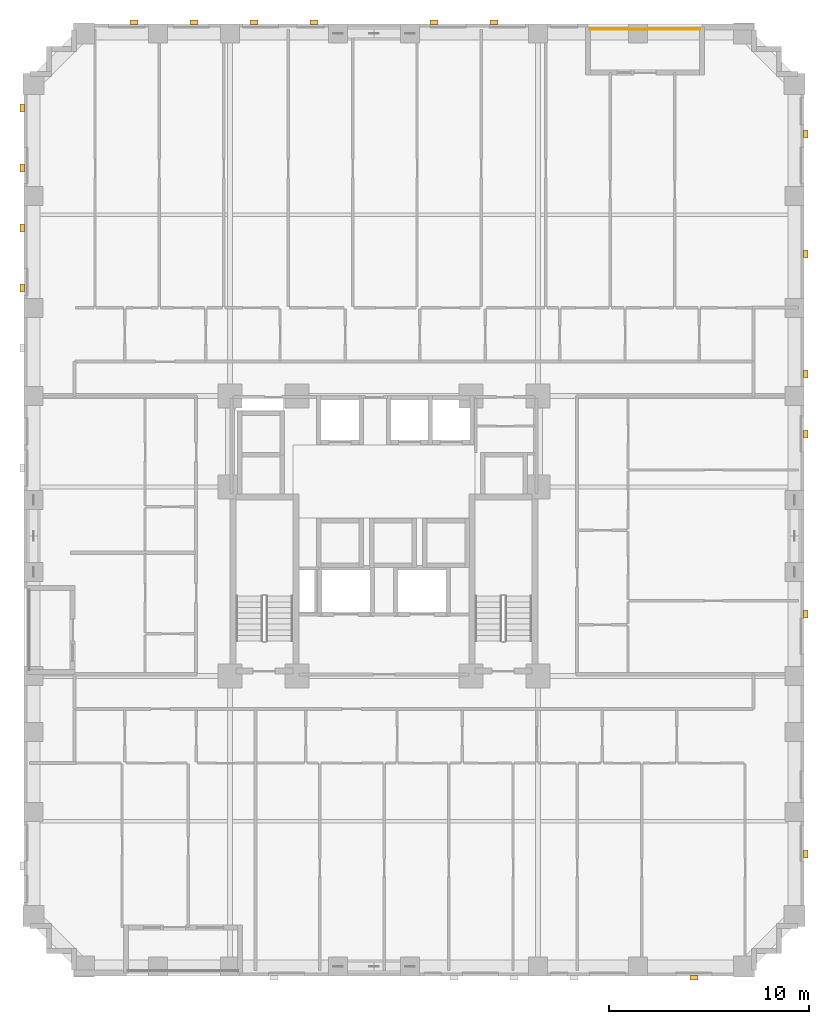
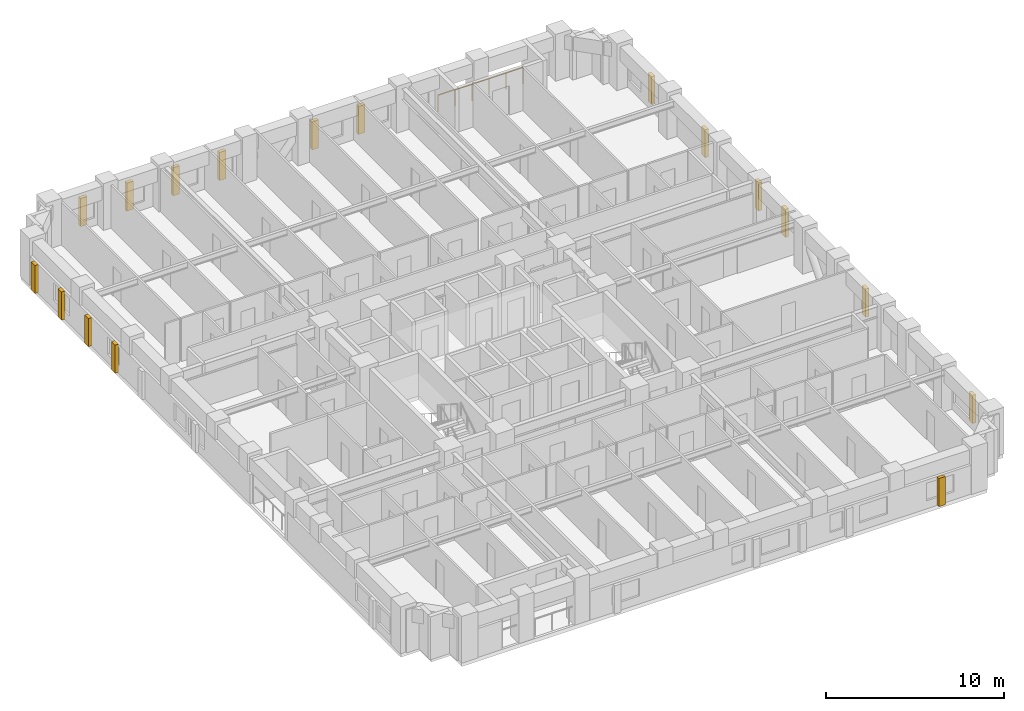
# One storey, part 14 of 14: 17 coverings, 1 railing.
"""IFC4 building model written with IfcOpenShell, lengths in metres."""

from ifc_helpers import new_model, si_unit, derived_unit, direction, frame, origin, origin_2d, place, context, subcontext, project, spatial, rectangle, circle, extrude, material, layer, layer_set, type_object, element, save


model = new_model("IFC4")

# Units and contexts
model_context = context("Model", 3, precision=1e-05, world=origin(), true_north=direction((0.0, 1.0)))
body_context = subcontext(model_context, "Body", "Model", "MODEL_VIEW")
ifc_project = project(units=[si_unit("LENGTHUNIT", "METRE"), si_unit("AREAUNIT", "SQUARE_METRE"), si_unit("VOLUMEUNIT", "CUBIC_METRE"), si_unit("PLANEANGLEUNIT", "RADIAN"), si_unit("MASSUNIT", "GRAM", prefix="KILO"), derived_unit("THERMALTRANSMITTANCEUNIT", [(si_unit("MASSUNIT", "GRAM", prefix="KILO"), 1), (si_unit("TIMEUNIT", "SECOND"), -3), (si_unit("THERMODYNAMICTEMPERATUREUNIT", "KELVIN"), -1)])], contexts=[model_context])

# Site, building, storey
site_placement = place(None, origin())
site = spatial("IfcSite", under=ifc_project, at=site_placement, CompositionType="ELEMENT")
building_placement = place(site_placement, origin())
building = spatial("IfcBuilding", under=site, at=building_placement, Name="Korrvale Station Residences", CompositionType="ELEMENT")
storey_placement = place(building_placement, frame((0.0, 0.0, 38.60009765625)))
storey = spatial("IfcBuildingStorey", under=building, at=storey_placement, Name="L09", CompositionType="ELEMENT", Elevation=38.60009765625)

# Coverings
ifc_material_1 = material(Name="Architectural precast concrete C45/55", Category="concrete")
ifc_layer = layer(ifc_material_1, 0.219970703125, Name="Architectural precast concrete C45/55")
ifc_layer_set = layer_set([ifc_layer], Name="Architectural precast concrete C45/55")
covering_type = type_object("IfcCoveringType", Name="COV-PIER-400", PredefinedType="CLADDING", material=ifc_layer_set)
for number, where, z_axis, x_axis, name in (
    (1, (41.0, -0.090087890625, 0.02490234375), (0.0, 0.0, 1.0), (1.0, 0.0, 0.0), "L09 Architectural Precast Facade Pier 01"),
    (2, (13.0, 47.68994140625, 0.02490234375), (0.0, 0.0, 1.0), (1.0, 0.0, 0.0), "L09 Architectural Precast Facade Pier 06"),
    (3, (16.0, 47.68994140625, 0.02490234375), (0.0, 0.0, 1.0), (1.0, 0.0, 0.0), "L09 Architectural Precast Facade Pier 07"),
    (4, (19.0, 47.68994140625, 0.02490234375), (0.0, 0.0, 1.0), (1.0, 0.0, 0.0), "L09 Architectural Precast Facade Pier 08"),
    (5, (22.0, 47.68994140625, 0.02490234375), (0.0, 0.0, 1.0), (1.0, 0.0, 0.0), "L09 Architectural Precast Facade Pier 09"),
    (6, (28.0, 47.68994140625, 0.02490234375), (0.0, 0.0, 1.0), (1.0, 0.0, 0.0), "L09 Architectural Precast Facade Pier 10"),
    (7, (31.0, 47.68994140625, 0.02490234375), (0.0, 0.0, 1.0), (1.0, 0.0, 0.0), "L09 Architectural Precast Facade Pier 11"),
    (8, (7.409912109375, 34.39990234375, 0.02490234375), (0.0, 0.0, 1.0), (0.0, 1.0, 0.0), "L09 Architectural Precast Facade Pier 15"),
    (9, (7.409912109375, 37.39990234375, 0.02490234375), (0.0, 0.0, 1.0), (0.0, 1.0, 0.0), "L09 Architectural Precast Facade Pier 16"),
    (10, (7.409912109375, 40.39990234375, 0.02490234375), (0.0, 0.0, 1.0), (0.0, 1.0, 0.0), "L09 Architectural Precast Facade Pier 17"),
    (11, (7.409912109375, 43.39990234375, 0.02490234375), (0.0, 0.0, 1.0), (0.0, 1.0, 0.0), "L09 Architectural Precast Facade Pier 18"),
    (12, (46.590087890625, 42.10009765625, 0.02490234375), (0.0, 0.0, 1.0), (0.0, 1.0, 0.0), "L09 Architectural Precast Facade Pier 19"),
    (13, (46.590087890625, 36.10009765625, 0.02490234375), (0.0, 0.0, 1.0), (0.0, 1.0, 0.0), "L09 Architectural Precast Facade Pier 20"),
    (14, (46.590087890625, 30.10009765625, 0.02490234375), (0.0, 0.0, 1.0), (0.0, 1.0, 0.0), "L09 Architectural Precast Facade Pier 21"),
    (15, (46.590087890625, 27.10009765625, 0.02490234375), (0.0, 0.0, 1.0), (0.0, 1.0, 0.0), "L09 Architectural Precast Facade Pier 22"),
    (16, (46.590087890625, 18.10009765625, 0.02490234375), (0.0, 0.0, 1.0), (0.0, 1.0, 0.0), "L09 Architectural Precast Facade Pier 23"),
    (17, (46.590087890625, 6.10009765625, 0.02490234375), (0.0, 0.0, 1.0), (0.0, 1.0, 0.0), "L09 Architectural Precast Facade Pier 24"),
):
    element("IfcCovering", number, at=place(storey_placement, frame(where, z_axis=z_axis, x_axis=x_axis)), inside=storey, type_object=covering_type, Name=name, PredefinedType="CLADDING", context=body_context, shape_type="SweptSolid", body=[
        extrude(rectangle(XDim=0.419921875, YDim=0.219970703125, at=origin_2d()), origin(), (0.0, 0.0, 1.0), 1.925048828125),
    ])

# Railing
ifc_material_2 = material(Name="Powder-coated aluminium picket loggia guard", Category="aluminium")
railing_type = type_object("IfcRailingType", Name="RLG-BAL-1150", PredefinedType="GUARDRAIL", material=ifc_material_2)
railing_placement = place(storey_placement, frame((35.800048828125, 47.330078125, 0.0)))
element("IfcRailing", 18, at=railing_placement, inside=storey, type_object=railing_type, Name="L09 Recessed Loggia Guardrail BAL-L09-N1", PredefinedType="GUARDRAIL", context=body_context, shape_type="SweptSolid", body=[
    extrude(circle(Radius=0.02392578125, at=origin_2d()), frame((0.0, 0.0, 1.1259765625), z_axis=(1.0, 0.0, 0.0), x_axis=(0.0, 1.0, 0.0)), (0.0, 0.0, 1.0), 5.5),
    extrude(circle(Radius=0.02099609375, at=origin_2d()), origin(), (0.0, 0.0, 1.0), 1.101806640625),
    extrude(circle(Radius=0.02099609375, at=origin_2d()), frame((1.10009765625, 0.0, 0.0)), (0.0, 0.0, 1.0), 1.101806640625),
    extrude(circle(Radius=0.02099609375, at=origin_2d()), frame((2.199951171875, 0.0, 0.0)), (0.0, 0.0, 1.0), 1.101806640625),
    extrude(circle(Radius=0.02099609375, at=origin_2d()), frame((3.300048828125, 0.0, 0.0)), (0.0, 0.0, 1.0), 1.101806640625),
    extrude(circle(Radius=0.02099609375, at=origin_2d()), frame((4.39990234375, 0.0, 0.0)), (0.0, 0.0, 1.0), 1.101806640625),
    extrude(circle(Radius=0.02099609375, at=origin_2d()), frame((5.5, 0.0, 0.0)), (0.0, 0.0, 1.0), 1.101806640625),
])

save(model, "model.ifc")
